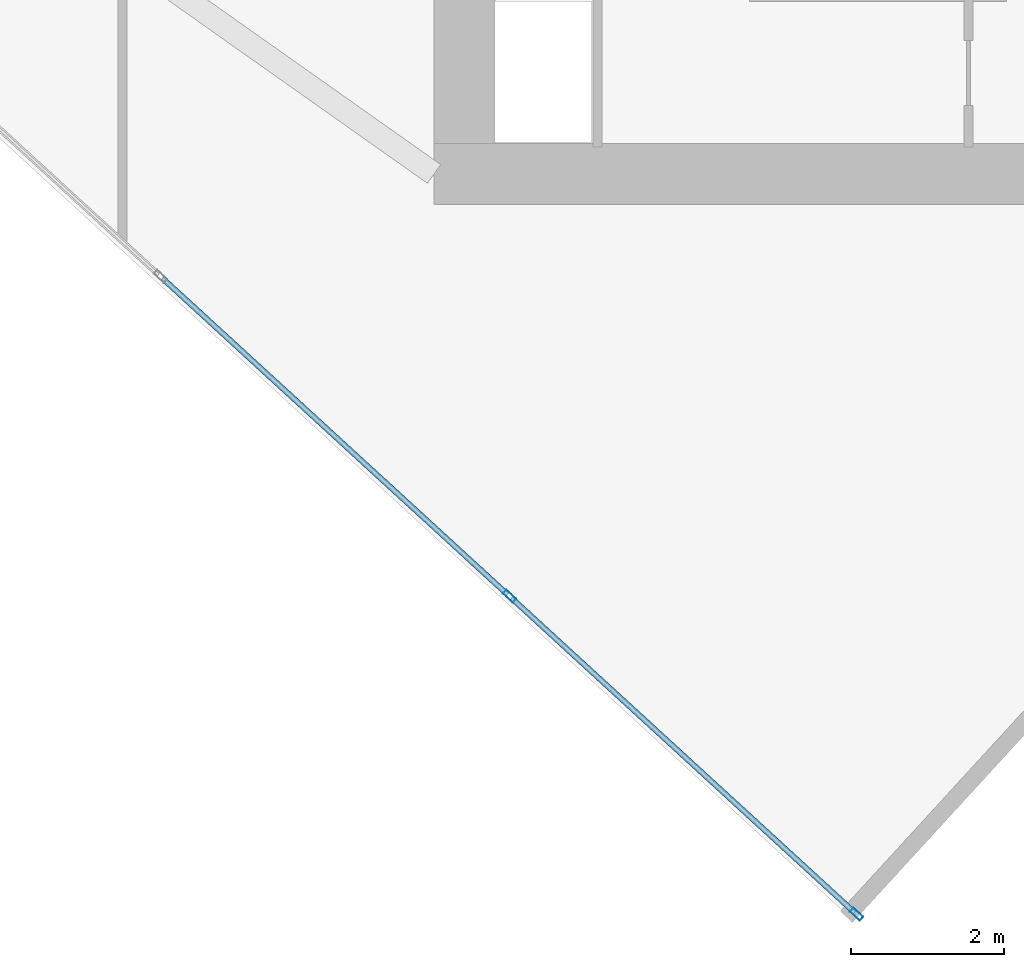
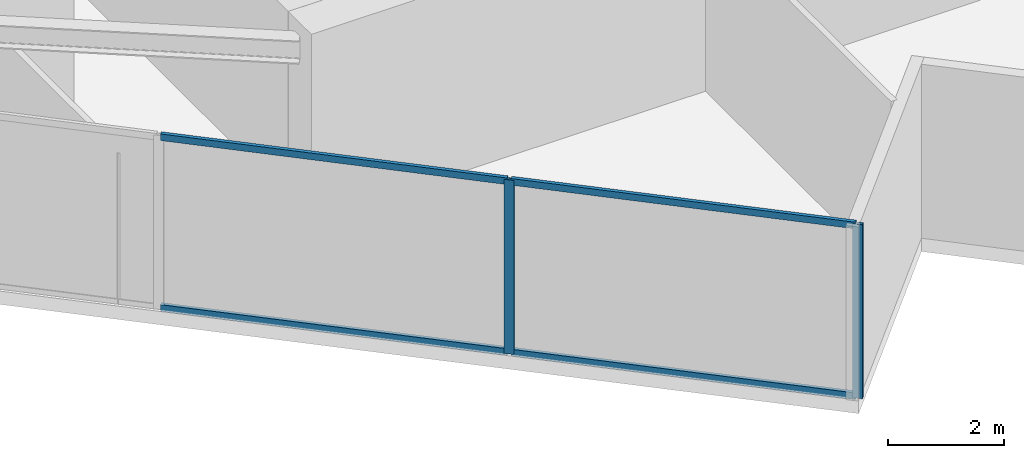
# One storey, part 3 of 26: 6 members, 1 element without a shape of its own.
"""IFC4 building model written with IfcOpenShell, lengths in metres."""

from ifc_helpers import new_model, si_unit, direction, frame, origin, origin_2d, place, context, subcontext, project, spatial, hollow_rectangle, extrude, source, transform, mapped, material, material_profile, profile_set, type_object, type_shapes, element, aggregate, save


model = new_model("IFC4")

# Units and contexts
model_context = context("Model", 3, precision=1e-05, world=origin(), true_north=direction((0.0, 1.0)))
body_context = subcontext(model_context, "Body", "Model", "MODEL_VIEW")
ifc_project = project(units=[si_unit("LENGTHUNIT", "METRE"), si_unit("AREAUNIT", "SQUARE_METRE"), si_unit("VOLUMEUNIT", "CUBIC_METRE"), si_unit("PLANEANGLEUNIT", "RADIAN"), si_unit("MASSUNIT", "GRAM", prefix="KILO")], contexts=[model_context])

# Site, building, storey
site_placement = place(None, origin())
site = spatial("IfcSite", under=ifc_project, at=site_placement, CompositionType="ELEMENT")
building_placement = place(site_placement, origin())
building = spatial("IfcBuilding", under=site, at=building_placement, Name="Krantzveldt Concourse Tower", CompositionType="ELEMENT")
storey_placement = place(building_placement, frame((0.0, 0.0, 227.050048828125)))
storey = spatial("IfcBuildingStorey", under=building, at=storey_placement, Name="L55", CompositionType="ELEMENT", Elevation=227.050048828125)

# Curtain wall, members
ifc_material = material(Name="Anodised aluminium 6063-T6", Category="aluminium")
curtain_wall_type = type_object("IfcCurtainWallType", Name="CW3", PredefinedType="USERDEFINED", material=ifc_material)
curtain_wall_placement = place(storey_placement, origin())
curtain_wall = element("IfcCurtainWall", 1, at=curtain_wall_placement, inside=storey, type_object=curtain_wall_type, Name="CW-L55-F04", ObjectType="UNITISED CURTAIN WALL", PredefinedType="USERDEFINED")
ifc_material_profile_1 = material_profile(ifc_material, hollow_rectangle(XDim=0.070068359375, YDim=0.179931640625, WallThickness=0.0048828125, at=origin_2d()), Name="Anodised aluminium 6063-T6", Category="aluminium")
ifc_profile_set_1 = profile_set([ifc_material_profile_1], Name="Anodised aluminium 6063-T6 - ALU-MULL 180x70x5")
member_type_1 = type_object("IfcMemberType", Name="CW-MUL-180", PredefinedType="MULLION", material=ifc_profile_set_1)
shared_shape_1 = source(origin(), body_context, "Body", "SweptSolid", [
    extrude(hollow_rectangle(XDim=0.070068359375, YDim=0.179931640625, WallThickness=0.0048828125, at=origin_2d()), origin(), (0.0, 0.0, 1.0), 3.669921875),
])
type_shapes(member_type_1, [shared_shape_1])
member_1_placement = place(storey_placement, frame((29.06787109375, 5.369140625, 0.0), z_axis=(0.0, 0.0, 1.0), x_axis=(0.675590053651, 0.737277477893, 0.0)))
member_1 = element("IfcMember", 2, at=member_1_placement, type_object=member_type_1, Name="CW-Z34 mullion 5", PredefinedType="MULLION", context=body_context, shape_type="MappedRepresentation", body=[
    mapped(shared_shape_1, transform((0.0, 0.0, 0.0), x_axis=(1.0, 0.0, 0.0), y_axis=(0.0, 1.0, 0.0), z_axis=(0.0, 0.0, 1.0), scale=1.0)),
])
member_2_placement = place(storey_placement, frame((33.61328125, 1.2041015625, 0.0), z_axis=(0.0, 0.0, 1.0), x_axis=(0.675590053651, 0.737277477893, 0.0)))
member_2 = element("IfcMember", 3, at=member_2_placement, type_object=member_type_1, Name="CW-Z34 mullion 6", PredefinedType="MULLION", context=body_context, shape_type="MappedRepresentation", body=[
    mapped(shared_shape_1, transform((0.0, 0.0, 0.0), x_axis=(1.0, 0.0, 0.0), y_axis=(0.0, 1.0, 0.0), z_axis=(0.0, 0.0, 1.0), scale=1.0)),
])
ifc_material_profile_2 = material_profile(ifc_material, hollow_rectangle(XDim=0.070068359375, YDim=0.139892578125, WallThickness=0.0048828125, at=origin_2d()), Name="Anodised aluminium 6063-T6", Category="aluminium")
ifc_profile_set_2 = profile_set([ifc_material_profile_2], Name="Anodised aluminium 6063-T6 - ALU-TRAN 140x70x5")
member_type_2 = type_object("IfcMemberType", Name="CW-TRN-150", PredefinedType="USERDEFINED", material=ifc_profile_set_2)
shared_shape_2 = source(origin(), body_context, "Body", "SweptSolid", [
    extrude(hollow_rectangle(XDim=0.070068359375, YDim=0.139892578125, WallThickness=0.0048828125, at=origin_2d()), origin(), (0.0, 0.0, 1.0), 6.094970703125),
])
member_3_placement = place(storey_placement, frame((29.09375, 5.345458984375, 0.034912109375), z_axis=(0.737277168993, -0.675590390755, 0.0), x_axis=(0.675590390755, 0.737277168993, 0.0)))
member_3 = element("IfcMember", 4, at=member_3_placement, type_object=member_type_2, Name="CW-Z34 transom 5.1", ObjectType="TRANSOM", PredefinedType="USERDEFINED", context=body_context, shape_type="MappedRepresentation", body=[
    mapped(shared_shape_2, transform((0.0, 0.0, 0.0), x_axis=(1.0, 0.0, 0.0), y_axis=(0.0, 1.0, 0.0), z_axis=(0.0, 0.0, 1.0), scale=1.0)),
])
member_4_placement = place(storey_placement, frame((29.09375, 5.345458984375, 3.635009765625), z_axis=(0.737277168993, -0.675590390755, 0.0), x_axis=(0.675590390755, 0.737277168993, 0.0)))
member_4 = element("IfcMember", 5, at=member_4_placement, type_object=member_type_2, Name="CW-Z34 transom 5.2", ObjectType="TRANSOM", PredefinedType="USERDEFINED", context=body_context, shape_type="MappedRepresentation", body=[
    mapped(shared_shape_2, transform((0.0, 0.0, 0.0), x_axis=(1.0, 0.0, 0.0), y_axis=(0.0, 1.0, 0.0), z_axis=(0.0, 0.0, 1.0), scale=1.0)),
])
shared_shape_3 = source(origin(), body_context, "Body", "SweptSolid", [
    extrude(hollow_rectangle(XDim=0.070068359375, YDim=0.139892578125, WallThickness=0.0048828125, at=origin_2d()), origin(), (0.0, 0.0, 1.0), 6.130126953125),
])
type_shapes(member_type_2, [shared_shape_2, shared_shape_3])
member_5_placement = place(storey_placement, frame((24.5224609375, 9.5341796875, 0.034912109375), z_axis=(0.737279770771, -0.675587551404, 0.0), x_axis=(0.675587551404, 0.737279770771, 0.0)))
member_5 = element("IfcMember", 6, at=member_5_placement, type_object=member_type_2, Name="CW-Z34 transom 4.1", ObjectType="TRANSOM", PredefinedType="USERDEFINED", context=body_context, shape_type="MappedRepresentation", body=[
    mapped(shared_shape_3, transform((0.0, 0.0, 0.0), x_axis=(1.0, 0.0, 0.0), y_axis=(0.0, 1.0, 0.0), z_axis=(0.0, 0.0, 1.0), scale=1.0)),
])
member_6_placement = place(storey_placement, frame((24.5224609375, 9.5341796875, 3.635009765625), z_axis=(0.737279770771, -0.675587551404, 0.0), x_axis=(0.675587551404, 0.737279770771, 0.0)))
member_6 = element("IfcMember", 7, at=member_6_placement, type_object=member_type_2, Name="CW-Z34 transom 4.2", ObjectType="TRANSOM", PredefinedType="USERDEFINED", context=body_context, shape_type="MappedRepresentation", body=[
    mapped(shared_shape_3, transform((0.0, 0.0, 0.0), x_axis=(1.0, 0.0, 0.0), y_axis=(0.0, 1.0, 0.0), z_axis=(0.0, 0.0, 1.0), scale=1.0)),
])
aggregate(curtain_wall, [member_1, member_2, member_5, member_6, member_3, member_4])

save(model, "model.ifc")
